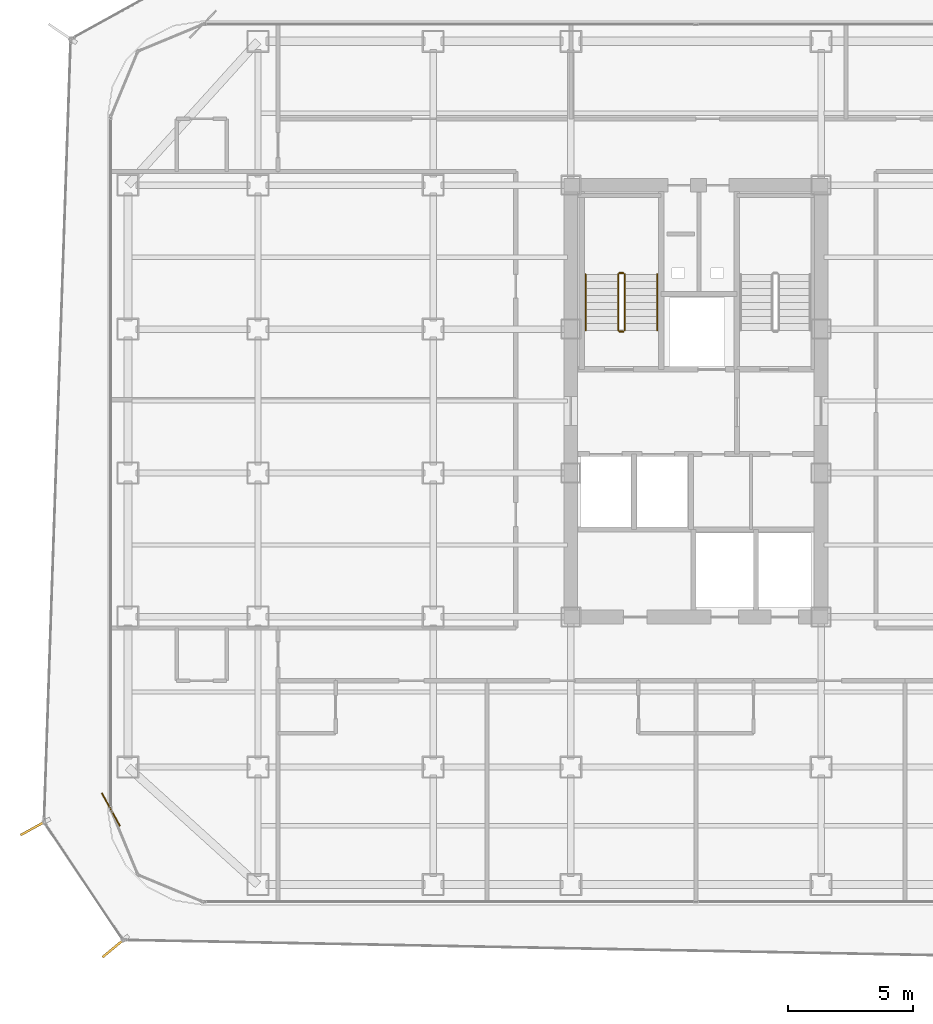
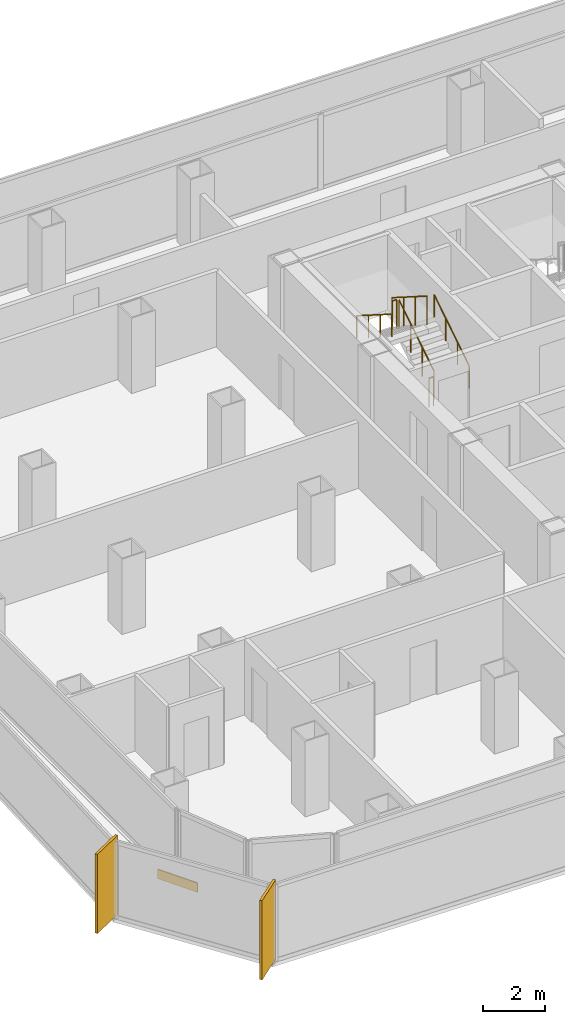
# One storey, part 19 of 21: 6 railings, 2 shading devices, 1 covering.
"""IFC4 building model written with IfcOpenShell, lengths in metres."""

from ifc_helpers import new_model, si_unit, direction, frame, origin, origin_2d, place, context, subcontext, project, spatial, rectangle, circle, extrude, source, transform, mapped, material, layer, layer_set, type_object, element, save


model = new_model("IFC4")

# Units and contexts
model_context = context("Model", 3, precision=1e-05, world=origin(), true_north=direction((0.0, 1.0)))
body_context = subcontext(model_context, "Body", "Model", "MODEL_VIEW")
ifc_project = project(units=[si_unit("LENGTHUNIT", "METRE"), si_unit("AREAUNIT", "SQUARE_METRE"), si_unit("VOLUMEUNIT", "CUBIC_METRE"), si_unit("PLANEANGLEUNIT", "RADIAN"), si_unit("MASSUNIT", "GRAM", prefix="KILO")], contexts=[model_context])

# Site, building, storey
site_placement = place(None, origin())
site = spatial("IfcSite", under=ifc_project, at=site_placement, CompositionType="ELEMENT")
building_placement = place(site_placement, origin())
building = spatial("IfcBuilding", under=site, at=building_placement, Name="Kolveth Station Tower", CompositionType="ELEMENT")
storey_placement = place(building_placement, frame((0.0, 0.0, 95.89990234375)))
storey = spatial("IfcBuildingStorey", under=building, at=storey_placement, Name="L25", CompositionType="ELEMENT", Elevation=95.89990234375)

# Railings
ifc_material_1 = material(Name="Painted Steel S355 balustrade", Category="steel")
railing_type_1 = type_object("IfcRailingType", Name="Guard_GR2", PredefinedType="BALUSTRADE", material=ifc_material_1)
railing_1_placement = place(storey_placement, frame((20.64990234375, 22.949951171875, 0.177978515625)))
element("IfcRailing", 1, at=railing_1_placement, inside=storey, type_object=railing_type_1, Name="L25 ST1 stair guard 1", PredefinedType="BALUSTRADE", context=body_context, shape_type="SweptSolid", body=[
    extrude(circle(Radius=0.02392578125, at=origin_2d()), frame((0.0, 0.0, 1.1259765625), z_axis=(0.0, 0.8442293374, 0.53598211339), x_axis=(-1.0, 0.0, 0.0)), (0.0, 0.0, 1.0), 2.6533203125),
    extrude(circle(Radius=0.02099609375, at=origin_2d()), origin(), (0.0, 0.0, 1.0), 1.101806640625),
    extrude(circle(Radius=0.02099609375, at=origin_2d()), frame((0.0, 0.74658203125, 0.47412109375)), (0.0, 0.0, 1.0), 1.101806640625),
    extrude(circle(Radius=0.02099609375, at=origin_2d()), frame((0.0, 1.493408203125, 0.947998046875)), (0.0, 0.0, 1.0), 1.101806640625),
    extrude(circle(Radius=0.02099609375, at=origin_2d()), frame((0.0, 2.239990234375, 1.422119140625)), (0.0, 0.0, 1.0), 1.101806640625),
])
railing_2_placement = place(storey_placement, frame((20.60009765625, 25.239990234375, 1.60009765625)))
element("IfcRailing", 2, at=railing_2_placement, inside=storey, type_object=railing_type_1, Name="L25 ST1 stair guard 2", PredefinedType="BALUSTRADE", context=body_context, shape_type="SweptSolid", body=[
    extrude(circle(Radius=0.02392578125, at=origin_2d()), frame((0.0, 0.0, 1.1259765625), z_axis=(-1.0, 0.0, 0.0), x_axis=(0.0, -1.0, 0.0)), (0.0, 0.0, 1.0), 0.16015625),
    extrude(circle(Radius=0.02099609375, at=origin_2d()), origin(), (0.0, 0.0, 1.0), 1.101806640625),
    extrude(circle(Radius=0.02099609375, at=origin_2d()), frame((-0.16015625, 0.0, 0.0)), (0.0, 0.0, 1.0), 1.101806640625),
])
railing_3_placement = place(storey_placement, frame((20.389892578125, 25.18994140625, 1.77783203125)))
element("IfcRailing", 3, at=railing_3_placement, inside=storey, type_object=railing_type_1, Name="L25 ST1 stair guard 3", PredefinedType="BALUSTRADE", context=body_context, shape_type="SweptSolid", body=[
    extrude(circle(Radius=0.02392578125, at=origin_2d()), frame((0.0, 0.0, 1.1259765625), z_axis=(0.0, -0.84418770128, 0.536047689118), x_axis=(1.0, 0.0, 0.0)), (0.0, 0.0, 1.0), 2.6533203125),
    extrude(circle(Radius=0.02099609375, at=origin_2d()), origin(), (0.0, 0.0, 1.0), 1.101806640625),
    extrude(circle(Radius=0.02099609375, at=origin_2d()), frame((0.0, -0.74658203125, 0.47412109375)), (0.0, 0.0, 1.0), 1.101806640625),
    extrude(circle(Radius=0.02099609375, at=origin_2d()), frame((0.0, -1.493408203125, 0.9482421875)), (0.0, 0.0, 1.0), 1.101806640625),
    extrude(circle(Radius=0.02099609375, at=origin_2d()), frame((0.0, -2.239990234375, 1.42236328125)), (0.0, 0.0, 1.0), 1.101806640625),
])
railing_4_placement = place(storey_placement, frame((20.60009765625, 22.89990234375, 0.0)))
element("IfcRailing", 4, at=railing_4_placement, inside=storey, type_object=railing_type_1, Name="L25 ST1 stair guard 4", PredefinedType="BALUSTRADE", context=body_context, shape_type="SweptSolid", body=[
    extrude(circle(Radius=0.02392578125, at=origin_2d()), frame((0.0, 0.0, 1.1259765625), z_axis=(-1.0, 0.0, 0.0), x_axis=(0.0, -1.0, 0.0)), (0.0, 0.0, 1.0), 0.16015625),
    extrude(circle(Radius=0.02099609375, at=origin_2d()), origin(), (0.0, 0.0, 1.0), 1.101806640625),
    extrude(circle(Radius=0.02099609375, at=origin_2d()), frame((-0.16015625, 0.0, 0.0)), (0.0, 0.0, 1.0), 1.101806640625),
])
ifc_material_2 = material(Name="Brushed stainless steel", Category="steel")
railing_type_2 = type_object("IfcRailingType", Name="Handrail_HR1", PredefinedType="HANDRAIL", material=ifc_material_2)
railing_5_placement = place(storey_placement, frame((21.949951171875, 22.949951171875, 0.177978515625)))
element("IfcRailing", 5, at=railing_5_placement, inside=storey, type_object=railing_type_2, Name="L25 ST1 stair handrail 1", PredefinedType="HANDRAIL", context=body_context, shape_type="SweptSolid", body=[
    extrude(circle(Radius=0.02392578125, at=origin_2d()), frame((0.0, 0.0, 0.8759765625), z_axis=(0.0, 0.8442293374, 0.53598211339), x_axis=(-1.0, 0.0, 0.0)), (0.0, 0.0, 1.0), 2.6533203125),
    extrude(circle(Radius=0.02099609375, at=origin_2d()), origin(), (0.0, 0.0, 1.0), 0.851806640625),
    extrude(circle(Radius=0.02099609375, at=origin_2d()), frame((0.0, 0.74658203125, 0.47412109375)), (0.0, 0.0, 1.0), 0.851806640625),
    extrude(circle(Radius=0.02099609375, at=origin_2d()), frame((0.0, 1.493408203125, 0.947998046875)), (0.0, 0.0, 1.0), 0.851806640625),
    extrude(circle(Radius=0.02099609375, at=origin_2d()), frame((0.0, 2.239990234375, 1.422119140625)), (0.0, 0.0, 1.0), 0.851806640625),
])
railing_6_placement = place(storey_placement, frame((19.090087890625, 25.18994140625, 1.77783203125)))
element("IfcRailing", 6, at=railing_6_placement, inside=storey, type_object=railing_type_2, Name="L25 ST1 stair handrail 2", PredefinedType="HANDRAIL", context=body_context, shape_type="SweptSolid", body=[
    extrude(circle(Radius=0.02392578125, at=origin_2d()), frame((0.0, 0.0, 0.8759765625), z_axis=(0.0, -0.84418770128, 0.536047689118), x_axis=(1.0, 0.0, 0.0)), (0.0, 0.0, 1.0), 2.6533203125),
    extrude(circle(Radius=0.02099609375, at=origin_2d()), origin(), (0.0, 0.0, 1.0), 0.851806640625),
    extrude(circle(Radius=0.02099609375, at=origin_2d()), frame((0.0, -0.74658203125, 0.47412109375)), (0.0, 0.0, 1.0), 0.851806640625),
    extrude(circle(Radius=0.02099609375, at=origin_2d()), frame((0.0, -1.493408203125, 0.9482421875)), (0.0, 0.0, 1.0), 0.851806640625),
    extrude(circle(Radius=0.02099609375, at=origin_2d()), frame((0.0, -2.239990234375, 1.42236328125)), (0.0, 0.0, 1.0), 0.851806640625),
])

# Shading devices
ifc_material_3 = material(Name="Black anodized aluminium 6063-T6", Category="aluminium")
shading_device_type = type_object("IfcShadingDeviceType", Name="FIN_VF1", PredefinedType="USERDEFINED", material=ifc_material_3)
shared_shape_1 = source(origin(), body_context, "Body", "SweptSolid", [
    extrude(rectangle(XDim=1.25, YDim=0.090087890625, at=origin_2d()), origin(), (0.0, 0.0, 1.0), 3.10009765625),
])
for number, where, z_axis, x_axis, name in (
    (7, (-2.94091796875, 3.08203125, 0.0), (0.0, 0.0, 1.0), (-0.875885937035, -0.482518212408, 0.0), "L25 Dark-Aluminium Solar Fin 7"),
    (8, (0.264892578125, -1.700927734375, 0.0), (0.0, 0.0, 1.0), (-0.76839523211, -0.639975598965, 0.0), "L25 Dark-Aluminium Solar Fin 8"),
):
    element("IfcShadingDevice", number, at=place(storey_placement, frame(where, z_axis=z_axis, x_axis=x_axis)), inside=storey, type_object=shading_device_type, Name=name, ObjectType="FIN", PredefinedType="USERDEFINED", context=body_context, shape_type="MappedRepresentation", body=[
        mapped(shared_shape_1, transform((0.0, 0.0, 0.0), x_axis=(1.0, 0.0, 0.0), y_axis=(0.0, 1.0, 0.0), z_axis=(0.0, 0.0, 1.0), scale=1.0)),
    ])

# Covering
ifc_material_4 = material(Name="Charcoal anodized aluminium spandrel cladding", Category="aluminium")
ifc_layer = layer(ifc_material_4, 0.044921875)
ifc_layer_set = layer_set([ifc_layer], Name="Charcoal anodized aluminium spandrel cladding")
covering_type = type_object("IfcCoveringType", Name="Clad_CD1", PredefinedType="CLADDING", material=ifc_layer_set)
shared_shape_2 = source(origin(), body_context, "Body", "SweptSolid", [
    extrude(rectangle(XDim=1.5, YDim=0.044921875, at=origin_2d()), origin(), (0.0, 0.0, 1.0), 0.360107421875),
])
covering_placement = place(storey_placement, frame((0.1201171875, 3.800048828125, 0.0), z_axis=(0.0, 0.0, 1.0), x_axis=(0.482518212408, -0.875885937035, 0.0)))
element("IfcCovering", 9, at=covering_placement, inside=storey, type_object=covering_type, Name="L25 Spandrel Edge Cladding 7", PredefinedType="CLADDING", context=body_context, shape_type="MappedRepresentation", body=[
    mapped(shared_shape_2, transform((0.0, 0.0, 0.0), x_axis=(1.0, 0.0, 0.0), y_axis=(0.0, 1.0, 0.0), z_axis=(0.0, 0.0, 1.0), scale=1.0)),
])

save(model, "model.ifc")
